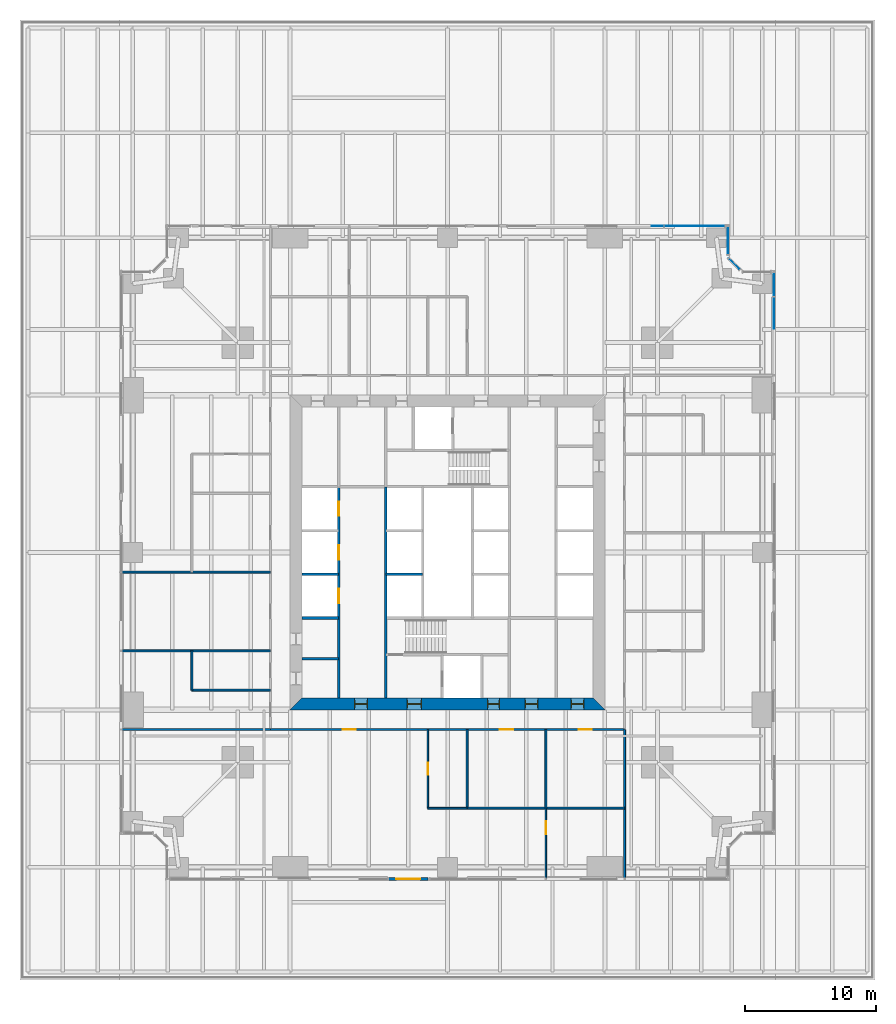
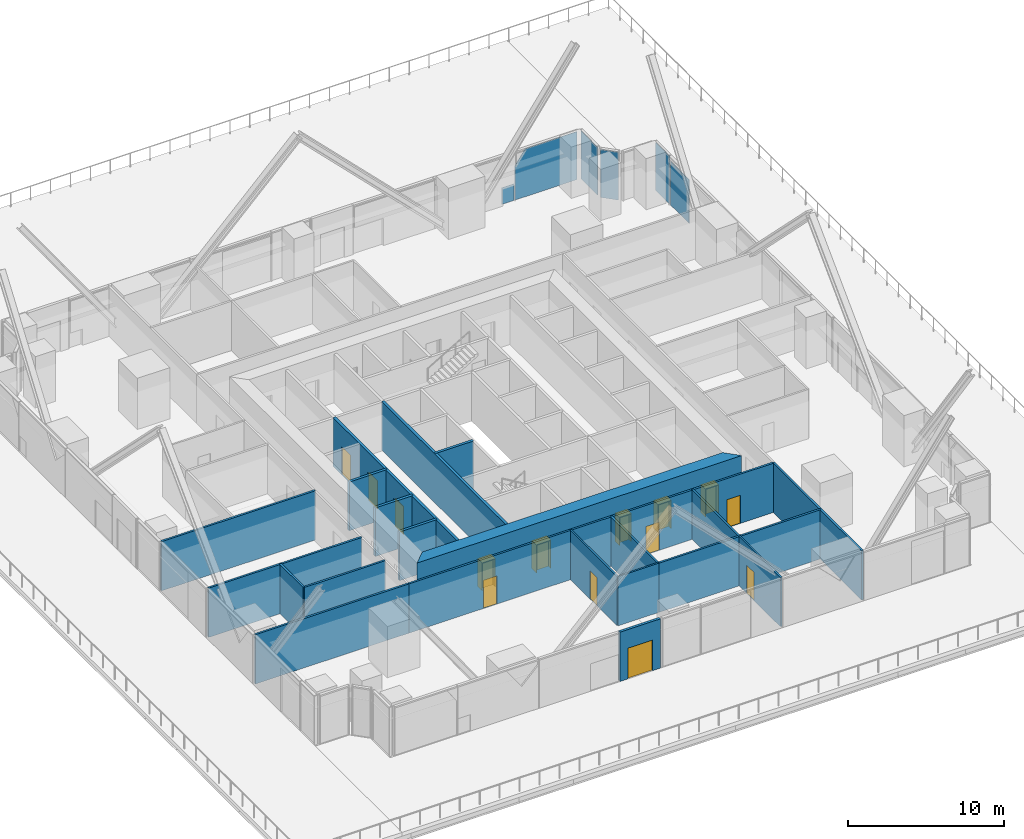
# One storey, part 15 of 21: 22 walls, 14 doors, 6 plates, 14 openings, 4 elements without a shape of their own.
"""IFC4 building model written with IfcOpenShell, lengths in metres."""

from ifc_helpers import new_model, si_unit, direction, frame, frame_2d, origin, origin_2d, place, context, subcontext, project, spatial, polyline, rectangle, outline, extrude, material, layer, layer_set, type_object, element, fill, aggregate, save


model = new_model("IFC4")

# Units and contexts
model_context = context("Model", 3, precision=1e-05, world=origin(), true_north=direction((0.0, 1.0)))
body_context = subcontext(model_context, "Body", "Model", "MODEL_VIEW")
ifc_project = project(units=[si_unit("LENGTHUNIT", "METRE"), si_unit("AREAUNIT", "SQUARE_METRE"), si_unit("VOLUMEUNIT", "CUBIC_METRE"), si_unit("PLANEANGLEUNIT", "RADIAN"), si_unit("MASSUNIT", "GRAM", prefix="KILO")], contexts=[model_context])

# Site, building, storey
site_placement = place(None, origin())
site = spatial("IfcSite", under=ifc_project, at=site_placement, CompositionType="ELEMENT")
building_placement = place(site_placement, origin())
building = spatial("IfcBuilding", under=site, at=building_placement, Name="Fenwick Lantern Interchange", CompositionType="ELEMENT")
storey_placement = place(building_placement, frame((0.0, 0.0, 31.0)))
storey = spatial("IfcBuildingStorey", under=building, at=storey_placement, Name="L06", CompositionType="ELEMENT", Elevation=31.0)

# Curtain wall, plates
ifc_material_1 = material(Name="Aluminium curtain wall frame", Category="aluminium")
curtain_wall_type = type_object("IfcCurtainWallType", Name="OFFICE CURTAIN WALL", PredefinedType="USERDEFINED", material=ifc_material_1)
curtain_wall_1_placement = place(storey_placement, origin())
curtain_wall_1 = element("IfcCurtainWall", 1, at=curtain_wall_1_placement, inside=storey, type_object=curtain_wall_type, Name="Office curtain wall 05B", ObjectType="OFFICE CURTAIN WALL", PredefinedType="USERDEFINED")
ifc_material_2 = material(Name="Vision glass, clear low-iron double glazed", Category="glass")
ifc_layer_1 = layer(ifc_material_2, 0.031982421875)
ifc_layer_set_1 = layer_set([ifc_layer_1], Name="OFFICE CURTAIN WALL PANEL 32")
plate_type = type_object("IfcPlateType", Name="OFFICE CURTAIN WALL PANEL 32", PredefinedType="CURTAIN_PANEL", material=ifc_layer_set_1)
plate_1_placement = place(storey_placement, frame((49.89990234375, 23.5, 0.0), z_axis=(0.0, 0.0, 1.0), x_axis=(0.0, 1.0, 0.0)))
plate_1 = element("IfcPlate", 2, at=plate_1_placement, type_object=plate_type, Name="L06/CW/05B/P03a", PredefinedType="CURTAIN_PANEL", context=body_context, shape_type="SweptSolid", body=[
    extrude(outline(polyline([(18.556640625, 0.0), (20.967529296875, 0.0), (20.967529296875, 3.40771484375), (18.556640625, 3.40771484375), (18.556640625, 0.0)])), frame((0.0, 0.01611328125, 0.0), z_axis=(0.0, -1.0, 0.0), x_axis=(1.0, 0.0, 0.0)), (0.0, 0.0, 1.0), 0.031982421875),
])
plate_2_placement = place(storey_placement, frame((49.89990234375, 45.433837890625, 0.0), z_axis=(0.0, 0.0, 1.0), x_axis=(0.0, 1.0, 0.0)))
plate_2 = element("IfcPlate", 3, at=plate_2_placement, type_object=plate_type, Name="L06/CW/05B/P04", PredefinedType="CURTAIN_PANEL", context=body_context, shape_type="SweptSolid", body=[
    extrude(rectangle(XDim=1.802490234375, YDim=0.031982421875, at=origin_2d()), origin(), (0.0, 0.0, 1.0), 3.75),
])
aggregate(curtain_wall_1, [plate_1, plate_2])

# Curtain wall, plate
curtain_wall_2_placement = place(storey_placement, origin())
curtain_wall_2 = element("IfcCurtainWall", 4, at=curtain_wall_2_placement, inside=storey, type_object=curtain_wall_type, Name="Office curtain wall 07", ObjectType="OFFICE CURTAIN WALL", PredefinedType="USERDEFINED")
plate_3_placement = place(storey_placement, frame((46.858642578125, 47.0, 0.0), z_axis=(0.0, 0.0, 1.0), x_axis=(-0.707106781187, 0.707106781187, 0.0)))
plate_3 = element("IfcPlate", 5, at=plate_3_placement, type_object=plate_type, Name="L06/CW/07/P00", PredefinedType="CURTAIN_PANEL", context=body_context, shape_type="SweptSolid", body=[
    extrude(rectangle(XDim=1.1669921875, YDim=0.031982421875, at=origin_2d()), origin(), (0.0, 0.0, 1.0), 3.75),
])
aggregate(curtain_wall_2, [plate_3])

curtain_wall_3_placement = place(storey_placement, origin())
curtain_wall_3 = element("IfcCurtainWall", 6, at=curtain_wall_3_placement, inside=storey, type_object=curtain_wall_type, Name="Office curtain wall 08", ObjectType="OFFICE CURTAIN WALL", PredefinedType="USERDEFINED")
plate_4_placement = place(storey_placement, frame((46.39990234375, 48.779296875, 0.0), z_axis=(0.0, 0.0, 1.0), x_axis=(0.0, 1.0, 0.0)))
plate_4 = element("IfcPlate", 7, at=plate_4_placement, type_object=plate_type, Name="L06/CW/08/P00", PredefinedType="CURTAIN_PANEL", context=body_context, shape_type="SweptSolid", body=[
    extrude(rectangle(XDim=2.111328125, YDim=0.031982421875, at=origin_2d()), origin(), (0.0, 0.0, 1.0), 3.75),
])
aggregate(curtain_wall_3, [plate_4])

# Curtain wall, plates
curtain_wall_4_placement = place(storey_placement, origin())
curtain_wall_4 = element("IfcCurtainWall", 8, at=curtain_wall_4_placement, inside=storey, type_object=curtain_wall_type, Name="Office curtain wall 09A", ObjectType="OFFICE CURTAIN WALL", PredefinedType="USERDEFINED")
plate_5_placement = place(storey_placement, frame((46.39990234375, 49.89990234375, 0.0), z_axis=(0.0, 0.0, 1.0), x_axis=(-1.0, 0.0, 0.0)))
plate_5 = element("IfcPlate", 9, at=plate_5_placement, type_object=plate_type, Name="L06/CW/09A/P00a", PredefinedType="CURTAIN_PANEL", context=body_context, shape_type="SweptSolid", body=[
    extrude(outline(polyline([(0.264892578125, 0.0), (4.867431640625, 0.0), (4.867431640625, 2.66650390625), (4.101318359375, 3.75), (0.264892578125, 3.75), (0.264892578125, 0.0)])), frame((0.0, 0.01611328125, 0.0), z_axis=(0.0, -1.0, 0.0), x_axis=(1.0, 0.0, 0.0)), (0.0, 0.0, 1.0), 0.031982421875),
])
plate_6_placement = place(storey_placement, frame((46.39990234375, 49.89990234375, 0.0), z_axis=(0.0, 0.0, 1.0), x_axis=(-1.0, 0.0, 0.0)))
plate_6 = element("IfcPlate", 10, at=plate_6_placement, type_object=plate_type, Name="L06/CW/09A/P01a", PredefinedType="CURTAIN_PANEL", context=body_context, shape_type="SweptSolid", body=[
    extrude(outline(polyline([(4.9326171875, 0.0), (5.842529296875, 0.0), (5.842529296875, 1.287841796875), (4.9326171875, 1.287841796875), (4.9326171875, 0.0)])), frame((0.0, 0.01611328125, 0.0), z_axis=(0.0, -1.0, 0.0), x_axis=(1.0, 0.0, 0.0)), (0.0, 0.0, 1.0), 0.031982421875),
])
aggregate(curtain_wall_4, [plate_5, plate_6])

# Wall, openings, doors
ifc_material_3 = material(Name="Concrete masonry ASTM C90 Grade N", Category="masonry")
ifc_layer_2 = layer(ifc_material_3, 0.199951171875)
ifc_layer_set_2 = layer_set([ifc_layer_2], Name="Concrete masonry ASTM C90 Grade N")
wall_type_1 = type_object("IfcWallType", Name="CORE PARTITION 200", PredefinedType="PARTITIONING", material=ifc_layer_set_2)
wall_1_placement = place(storey_placement, frame((16.699951171875, 13.89990234375, 0.0), z_axis=(0.0, 0.0, 1.0), x_axis=(0.0, 1.0, 0.0)))
wall_1 = element("IfcWall", 11, at=wall_1_placement, inside=storey, type_object=wall_type_1, Name="L06/W/CORES/a", PredefinedType="PARTITIONING", context=body_context, shape_type="SweptSolid", body=[
    extrude(rectangle(XDim=16.10009765625, YDim=0.199951171875, at=frame_2d((8.050048828125, 0.0))), origin(), (0.0, 0.0, 1.0), 3.800048828125),
])
opening_1_placement = place(wall_1_placement, frame((7.216552734375, 0.0, 0.0)))
opening_1 = element("IfcOpeningElement", 12, at=opening_1_placement, cuts=wall_1, Name="Opening LD-W1-1", PredefinedType="OPENING", context=body_context, shape_type="SweptSolid", body=[
    extrude(rectangle(XDim=1.10009765625, YDim=2.199951171875, at=frame_2d((0.550048828125, 1.10009765625))), frame((0.0, 0.10986328125, 0.0), z_axis=(0.0, -1.0, 0.0), x_axis=(1.0, 0.0, 0.0)), (0.0, 0.0, 1.0), 0.219970703125),
])
opening_2_placement = place(wall_1_placement, frame((10.550048828125, 0.0, 0.0)))
opening_2 = element("IfcOpeningElement", 13, at=opening_2_placement, cuts=wall_1, Name="Opening LD-W1-2", PredefinedType="OPENING", context=body_context, shape_type="SweptSolid", body=[
    extrude(rectangle(XDim=1.10009765625, YDim=2.199951171875, at=frame_2d((0.550048828125, 1.10009765625))), frame((0.0, 0.10986328125, 0.0), z_axis=(0.0, -1.0, 0.0), x_axis=(1.0, 0.0, 0.0)), (0.0, 0.0, 1.0), 0.219970703125),
])
opening_3_placement = place(wall_1_placement, frame((13.88330078125, 0.0, 0.0)))
opening_3 = element("IfcOpeningElement", 14, at=opening_3_placement, cuts=wall_1, Name="Opening LD-W1-3", PredefinedType="OPENING", context=body_context, shape_type="SweptSolid", body=[
    extrude(rectangle(XDim=1.10009765625, YDim=2.199951171875, at=frame_2d((0.550048828125, 1.10009765625))), frame((0.0, 0.10986328125, 0.0), z_axis=(0.0, -1.0, 0.0), x_axis=(1.0, 0.0, 0.0)), (0.0, 0.0, 1.0), 0.219970703125),
])
ifc_material_4 = material(Name="Steel door and frame", Category="steel")
door_type_1 = type_object("IfcDoorType", Name="LIFT LANDING DOOR 1100 X 2200", OperationType="DOUBLE_DOOR_SLIDING", PredefinedType="DOOR", material=ifc_material_4)
door_1_placement = place(opening_1_placement, origin())
door_1 = element("IfcDoor", 15, at=door_1_placement, inside=storey, type_object=door_type_1, Name="Lift landing door W1-1", OperationType="DOUBLE_DOOR_SLIDING", OverallHeight=2.199951171875, OverallWidth=1.10009765625, PredefinedType="DOOR", context=body_context, shape_type="SweptSolid", body=[
    extrude(rectangle(XDim=1.10009765625, YDim=2.199951171875, at=frame_2d((0.550048828125, 1.10009765625))), frame((0.0, 0.02490234375, 0.0), z_axis=(0.0, -1.0, 0.0), x_axis=(1.0, 0.0, 0.0)), (0.0, 0.0, 1.0), 0.050048828125),
])
fill(opening_1, door_1)
door_2_placement = place(opening_2_placement, origin())
door_2 = element("IfcDoor", 16, at=door_2_placement, inside=storey, type_object=door_type_1, Name="Lift landing door W1-2", OperationType="DOUBLE_DOOR_SLIDING", OverallHeight=2.199951171875, OverallWidth=1.10009765625, PredefinedType="DOOR", context=body_context, shape_type="SweptSolid", body=[
    extrude(rectangle(XDim=1.10009765625, YDim=2.199951171875, at=frame_2d((0.550048828125, 1.10009765625))), frame((0.0, 0.02490234375, 0.0), z_axis=(0.0, -1.0, 0.0), x_axis=(1.0, 0.0, 0.0)), (0.0, 0.0, 1.0), 0.050048828125),
])
fill(opening_2, door_2)
door_3_placement = place(opening_3_placement, origin())
door_3 = element("IfcDoor", 17, at=door_3_placement, inside=storey, type_object=door_type_1, Name="Lift landing door W1-3", OperationType="DOUBLE_DOOR_SLIDING", OverallHeight=2.199951171875, OverallWidth=1.10009765625, PredefinedType="DOOR", context=body_context, shape_type="SweptSolid", body=[
    extrude(rectangle(XDim=1.10009765625, YDim=2.199951171875, at=frame_2d((0.550048828125, 1.10009765625))), frame((0.0, 0.02490234375, 0.0), z_axis=(0.0, -1.0, 0.0), x_axis=(1.0, 0.0, 0.0)), (0.0, 0.0, 1.0), 0.050048828125),
])
fill(opening_3, door_3)

# Walls
for number, where, z_axis, x_axis, name in (
    (18, (13.89990234375, 16.89990234375, 0.0), (0.0, 0.0, 1.0), (1.0, 0.0, 0.0), "L06/W/CORES/c1"),
    (19, (13.89990234375, 20.0, 0.0), (0.0, 0.0, 1.0), (1.0, 0.0, 0.0), "L06/W/CORES/c2"),
    (20, (13.89990234375, 23.333251953125, 0.0), (0.0, 0.0, 1.0), (1.0, 0.0, 0.0), "L06/W/CORES/d1"),
    (21, (20.300048828125, 23.333251953125, 0.0), (0.0, 0.0, 1.0), (1.0, 0.0, 0.0), "L06/W/CORES/e1"),
):
    element("IfcWall", number, at=place(storey_placement, frame(where, z_axis=z_axis, x_axis=x_axis)), inside=storey, type_object=wall_type_1, Name=name, PredefinedType="PARTITIONING", context=body_context, shape_type="SweptSolid", body=[
        extrude(rectangle(XDim=2.800048828125, YDim=0.199951171875, at=frame_2d((1.39990234375, 0.0))), origin(), (0.0, 0.0, 1.0), 3.800048828125),
    ])

# Wall, openings, doors
ifc_material_5 = material(Name="Concrete f'c 70 MPa", Category="concrete")
ifc_layer_3 = layer(ifc_material_5, 0.89990234375)
ifc_layer_set_3 = layer_set([ifc_layer_3], Name="CORE WALL 900")
wall_type_2 = type_object("IfcWallType", Name="CORE WALL 900", PredefinedType="SHEAR", material=ifc_layer_set_3)
wall_2_placement = place(storey_placement, frame((13.0, 13.449951171875, 0.0), z_axis=(0.0, 0.0, 1.0), x_axis=(1.0, 0.0, 0.0)))
wall_2 = element("IfcWall", 22, at=wall_2_placement, inside=storey, type_object=wall_type_2, Name="L06/CORE/S", PredefinedType="SHEAR", context=body_context, shape_type="SweptSolid", body=[
    extrude(outline(polyline([(0.0, -0.449951171875), (24.0, -0.449951171875), (23.10009765625, 0.449951171875), (0.89990234375, 0.449951171875), (0.0, -0.449951171875)])), origin(), (0.0, 0.0, 1.0), 4.0),
])
opening_4_placement = place(wall_2_placement, frame((4.89990234375, 0.0, 0.0)))
opening_4 = element("IfcOpeningElement", 23, at=opening_4_placement, cuts=wall_2, Name="Opening L06-D006", PredefinedType="OPENING", context=body_context, shape_type="SweptSolid", body=[
    extrude(rectangle(XDim=1.0, YDim=2.199951171875, at=frame_2d((0.5, 1.10009765625))), frame((0.0, 0.4599609375, 0.0), z_axis=(0.0, -1.0, 0.0), x_axis=(1.0, 0.0, 0.0)), (0.0, 0.0, 1.0), 0.919921875),
])
opening_5_placement = place(wall_2_placement, frame((8.89990234375, 0.0, 0.0)))
opening_5 = element("IfcOpeningElement", 24, at=opening_5_placement, cuts=wall_2, Name="Opening L06-D009", PredefinedType="OPENING", context=body_context, shape_type="SweptSolid", body=[
    extrude(rectangle(XDim=1.10009765625, YDim=2.199951171875, at=frame_2d((0.550048828125, 1.10009765625))), frame((0.0, 0.4599609375, 0.0), z_axis=(0.0, -1.0, 0.0), x_axis=(1.0, 0.0, 0.0)), (0.0, 0.0, 1.0), 0.919921875),
])
opening_6_placement = place(wall_2_placement, frame((15.050048828125, 0.0, 0.0)))
opening_6 = element("IfcOpeningElement", 25, at=opening_6_placement, cuts=wall_2, Name="Opening L06-D011", PredefinedType="OPENING", context=body_context, shape_type="SweptSolid", body=[
    extrude(rectangle(XDim=0.89990234375, YDim=2.199951171875, at=frame_2d((0.449951171875, 1.10009765625))), frame((0.0, 0.4599609375, 0.0), z_axis=(0.0, -1.0, 0.0), x_axis=(1.0, 0.0, 0.0)), (0.0, 0.0, 1.0), 0.919921875),
])
opening_7_placement = place(wall_2_placement, frame((17.89990234375, 0.0, 0.0)))
opening_7 = element("IfcOpeningElement", 26, at=opening_7_placement, cuts=wall_2, Name="Opening L06-D012", PredefinedType="OPENING", context=body_context, shape_type="SweptSolid", body=[
    extrude(rectangle(XDim=1.0, YDim=2.199951171875, at=frame_2d((0.5, 1.10009765625))), frame((0.0, 0.4599609375, 0.0), z_axis=(0.0, -1.0, 0.0), x_axis=(1.0, 0.0, 0.0)), (0.0, 0.0, 1.0), 0.919921875),
])
opening_8_placement = place(wall_2_placement, frame((21.39990234375, 0.0, 0.0)))
opening_8 = element("IfcOpeningElement", 27, at=opening_8_placement, cuts=wall_2, Name="Opening L06-D013", PredefinedType="OPENING", context=body_context, shape_type="SweptSolid", body=[
    extrude(rectangle(XDim=1.0, YDim=2.199951171875, at=frame_2d((0.5, 1.10009765625))), frame((0.0, 0.4599609375, 0.0), z_axis=(0.0, -1.0, 0.0), x_axis=(1.0, 0.0, 0.0)), (0.0, 0.0, 1.0), 0.919921875),
])
door_type_2 = type_object("IfcDoorType", Name="CORE LOBBY DOOR 1000 X 2200", OperationType="SINGLE_SWING_LEFT", PredefinedType="DOOR", material=ifc_material_4)
door_4_placement = place(opening_4_placement, origin())
door_4 = element("IfcDoor", 28, at=door_4_placement, inside=storey, type_object=door_type_2, Name="Core lobby door", OperationType="SINGLE_SWING_LEFT", OverallHeight=2.199951171875, OverallWidth=1.0, PredefinedType="DOOR", context=body_context, shape_type="SweptSolid", body=[
    extrude(rectangle(XDim=1.0, YDim=2.199951171875, at=frame_2d((0.5, 1.10009765625))), frame((0.0, 0.02490234375, 0.0), z_axis=(0.0, -1.0, 0.0), x_axis=(1.0, 0.0, 0.0)), (0.0, 0.0, 1.0), 0.050048828125),
    extrude(outline(polyline([(0.0, 0.0), (0.0400390625, 0.0), (0.0400390625, 2.159912109375), (0.9599609375, 2.159912109375), (0.9599609375, 0.0), (1.0, 0.0), (1.0, 2.199951171875), (0.0, 2.199951171875), (0.0, 0.0)])), frame((0.0, 0.300048828125, 0.0), z_axis=(0.0, -1.0, 0.0), x_axis=(1.0, 0.0, 0.0)), (0.0, 0.0, 1.0), 0.60009765625),
])
fill(opening_4, door_4)
door_type_3 = type_object("IfcDoorType", Name="FIRE LOBBY DOOR 1100 X 2200", OperationType="SINGLE_SWING_LEFT", PredefinedType="DOOR", material=ifc_material_4)
door_5_placement = place(opening_5_placement, origin())
door_5 = element("IfcDoor", 29, at=door_5_placement, inside=storey, type_object=door_type_3, Name="Fire lobby door", OperationType="SINGLE_SWING_LEFT", OverallHeight=2.199951171875, OverallWidth=1.10009765625, PredefinedType="DOOR", context=body_context, shape_type="SweptSolid", body=[
    extrude(rectangle(XDim=1.10009765625, YDim=2.199951171875, at=frame_2d((0.550048828125, 1.10009765625))), frame((0.0, 0.02490234375, 0.0), z_axis=(0.0, -1.0, 0.0), x_axis=(1.0, 0.0, 0.0)), (0.0, 0.0, 1.0), 0.050048828125),
    extrude(outline(polyline([(0.0, 0.0), (0.0400390625, 0.0), (0.0400390625, 2.159912109375), (1.06005859375, 2.159912109375), (1.06005859375, 0.0), (1.10009765625, 0.0), (1.10009765625, 2.199951171875), (0.0, 2.199951171875), (0.0, 0.0)])), frame((0.0, 0.300048828125, 0.0), z_axis=(0.0, -1.0, 0.0), x_axis=(1.0, 0.0, 0.0)), (0.0, 0.0, 1.0), 0.60009765625),
])
fill(opening_5, door_5)
door_type_4 = type_object("IfcDoorType", Name="SERVICE DOOR 900 X 2200", OperationType="SINGLE_SWING_LEFT", PredefinedType="DOOR", material=ifc_material_4)
door_6_placement = place(opening_6_placement, origin())
door_6 = element("IfcDoor", 30, at=door_6_placement, inside=storey, type_object=door_type_4, Name="Service door", OperationType="SINGLE_SWING_LEFT", OverallHeight=2.199951171875, OverallWidth=0.89990234375, PredefinedType="DOOR", context=body_context, shape_type="SweptSolid", body=[
    extrude(rectangle(XDim=0.89990234375, YDim=2.199951171875, at=frame_2d((0.449951171875, 1.10009765625))), frame((0.0, 0.02490234375, 0.0), z_axis=(0.0, -1.0, 0.0), x_axis=(1.0, 0.0, 0.0)), (0.0, 0.0, 1.0), 0.050048828125),
    extrude(outline(polyline([(0.0, 0.0), (0.0400390625, 0.0), (0.0400390625, 2.159912109375), (0.85986328125, 2.159912109375), (0.85986328125, 0.0), (0.89990234375, 0.0), (0.89990234375, 2.199951171875), (0.0, 2.199951171875), (0.0, 0.0)])), frame((0.0, 0.300048828125, 0.0), z_axis=(0.0, -1.0, 0.0), x_axis=(1.0, 0.0, 0.0)), (0.0, 0.0, 1.0), 0.60009765625),
])
fill(opening_6, door_6)
ifc_material_6 = material(Name="Hardwood door and steel frame", Category="steel")
door_type_5 = type_object("IfcDoorType", Name="WC DOOR 1000 X 2200", OperationType="SINGLE_SWING_LEFT", PredefinedType="DOOR", material=ifc_material_6)
door_7_placement = place(opening_7_placement, origin())
door_7 = element("IfcDoor", 31, at=door_7_placement, inside=storey, type_object=door_type_5, Name="Wc door", OperationType="SINGLE_SWING_LEFT", OverallHeight=2.199951171875, OverallWidth=1.0, PredefinedType="DOOR", context=body_context, shape_type="SweptSolid", body=[
    extrude(rectangle(XDim=1.0, YDim=2.199951171875, at=frame_2d((0.5, 1.10009765625))), frame((0.0, 0.02490234375, 0.0), z_axis=(0.0, -1.0, 0.0), x_axis=(1.0, 0.0, 0.0)), (0.0, 0.0, 1.0), 0.050048828125),
    extrude(outline(polyline([(0.0, 0.0), (0.0400390625, 0.0), (0.0400390625, 2.159912109375), (0.9599609375, 2.159912109375), (0.9599609375, 0.0), (1.0, 0.0), (1.0, 2.199951171875), (0.0, 2.199951171875), (0.0, 0.0)])), frame((0.0, 0.300048828125, 0.0), z_axis=(0.0, -1.0, 0.0), x_axis=(1.0, 0.0, 0.0)), (0.0, 0.0, 1.0), 0.60009765625),
])
fill(opening_7, door_7)
door_8_placement = place(opening_8_placement, origin())
door_8 = element("IfcDoor", 32, at=door_8_placement, inside=storey, type_object=door_type_5, Name="Wc door", OperationType="SINGLE_SWING_RIGHT", OverallHeight=2.199951171875, OverallWidth=1.0, PredefinedType="DOOR", context=body_context, shape_type="SweptSolid", body=[
    extrude(rectangle(XDim=1.0, YDim=2.199951171875, at=frame_2d((0.5, 1.10009765625))), frame((0.0, 0.02490234375, 0.0), z_axis=(0.0, -1.0, 0.0), x_axis=(1.0, 0.0, 0.0)), (0.0, 0.0, 1.0), 0.050048828125),
    extrude(outline(polyline([(0.0, 0.0), (0.0400390625, 0.0), (0.0400390625, 2.159912109375), (0.9599609375, 2.159912109375), (0.9599609375, 0.0), (1.0, 0.0), (1.0, 2.199951171875), (0.0, 2.199951171875), (0.0, 0.0)])), frame((0.0, 0.300048828125, 0.0), z_axis=(0.0, -1.0, 0.0), x_axis=(1.0, 0.0, 0.0)), (0.0, 0.0, 1.0), 0.60009765625),
])
fill(opening_8, door_8)

ifc_material_7 = material(Name="Gypsum board on steel studs, 1 hour", Category="steel")
ifc_layer_4 = layer(ifc_material_7, 0.14990234375)
ifc_layer_set_4 = layer_set([ifc_layer_4], Name="CORRIDOR WALL 150")
wall_type_3 = type_object("IfcWallType", Name="CORRIDOR WALL 150", PredefinedType="PARTITIONING", material=ifc_layer_set_4)
wall_3_placement = place(storey_placement, frame((11.5, 11.5, 0.0), z_axis=(0.0, 0.0, 1.0), x_axis=(1.0, 0.0, 0.0)))
wall_3 = element("IfcWall", 33, at=wall_3_placement, inside=storey, type_object=wall_type_3, Name="L06/W/OFF/S/CW", PredefinedType="PARTITIONING", context=body_context, shape_type="SweptSolid", body=[
    extrude(rectangle(XDim=27.0, YDim=0.14990234375, at=frame_2d((13.5, 0.0))), origin(), (0.0, 0.0, 1.0), 3.85009765625),
])
opening_9_placement = place(wall_3_placement, frame((5.5, 0.0, 0.0)))
opening_9 = element("IfcOpeningElement", 34, at=opening_9_placement, cuts=wall_3, Name="Opening L06-D022", PredefinedType="OPENING", context=body_context, shape_type="SweptSolid", body=[
    extrude(rectangle(XDim=1.0, YDim=2.199951171875, at=frame_2d((0.5, 1.10009765625))), frame((0.0, 0.0849609375, 0.0), z_axis=(0.0, -1.0, 0.0), x_axis=(1.0, 0.0, 0.0)), (0.0, 0.0, 1.0), 0.169921875),
])
opening_10_placement = place(wall_3_placement, frame((17.5, 0.0, 0.0)))
opening_10 = element("IfcOpeningElement", 35, at=opening_10_placement, cuts=wall_3, Name="Opening L06-D025", PredefinedType="OPENING", context=body_context, shape_type="SweptSolid", body=[
    extrude(rectangle(XDim=1.0, YDim=2.199951171875, at=frame_2d((0.5, 1.10009765625))), frame((0.0, 0.0849609375, 0.0), z_axis=(0.0, -1.0, 0.0), x_axis=(1.0, 0.0, 0.0)), (0.0, 0.0, 1.0), 0.169921875),
])
opening_11_placement = place(wall_3_placement, frame((23.5, 0.0, 0.0)))
opening_11 = element("IfcOpeningElement", 36, at=opening_11_placement, cuts=wall_3, Name="Opening L06-D026", PredefinedType="OPENING", context=body_context, shape_type="SweptSolid", body=[
    extrude(rectangle(XDim=1.0, YDim=2.199951171875, at=frame_2d((0.5, 1.10009765625))), frame((0.0, 0.0849609375, 0.0), z_axis=(0.0, -1.0, 0.0), x_axis=(1.0, 0.0, 0.0)), (0.0, 0.0, 1.0), 0.169921875),
])
door_type_6 = type_object("IfcDoorType", Name="SUITE ENTRANCE DOOR 1000 X 2200", OperationType="SINGLE_SWING_LEFT", PredefinedType="DOOR", material=ifc_material_4)
door_9_placement = place(opening_9_placement, frame((1.0, 0.0, 0.0), z_axis=(0.0, 0.0, 1.0), x_axis=(-1.0, 0.0, 0.0)))
door_9 = element("IfcDoor", 37, at=door_9_placement, inside=storey, type_object=door_type_6, Name="Suite entrance door", OperationType="SINGLE_SWING_LEFT", OverallHeight=2.199951171875, OverallWidth=1.0, PredefinedType="DOOR", context=body_context, shape_type="SweptSolid", body=[
    extrude(rectangle(XDim=1.0, YDim=2.199951171875, at=frame_2d((0.5, 1.10009765625))), frame((0.0, 0.02490234375, 0.0), z_axis=(0.0, -1.0, 0.0), x_axis=(1.0, 0.0, 0.0)), (0.0, 0.0, 1.0), 0.050048828125),
])
fill(opening_9, door_9)
door_10_placement = place(opening_10_placement, frame((1.0, 0.0, 0.0), z_axis=(0.0, 0.0, 1.0), x_axis=(-1.0, 0.0, 0.0)))
door_10 = element("IfcDoor", 38, at=door_10_placement, inside=storey, type_object=door_type_6, Name="Suite entrance door", OperationType="SINGLE_SWING_RIGHT", OverallHeight=2.199951171875, OverallWidth=1.0, PredefinedType="DOOR", context=body_context, shape_type="SweptSolid", body=[
    extrude(rectangle(XDim=1.0, YDim=2.199951171875, at=frame_2d((0.5, 1.10009765625))), frame((0.0, 0.02490234375, 0.0), z_axis=(0.0, -1.0, 0.0), x_axis=(1.0, 0.0, 0.0)), (0.0, 0.0, 1.0), 0.050048828125),
])
fill(opening_10, door_10)
door_11_placement = place(opening_11_placement, frame((1.0, 0.0, 0.0), z_axis=(0.0, 0.0, 1.0), x_axis=(-1.0, 0.0, 0.0)))
door_11 = element("IfcDoor", 39, at=door_11_placement, inside=storey, type_object=door_type_6, Name="Suite entrance door", OperationType="SINGLE_SWING_RIGHT", OverallHeight=2.199951171875, OverallWidth=1.0, PredefinedType="DOOR", context=body_context, shape_type="SweptSolid", body=[
    extrude(rectangle(XDim=1.0, YDim=2.199951171875, at=frame_2d((0.5, 1.10009765625))), frame((0.0, 0.02490234375, 0.0), z_axis=(0.0, -1.0, 0.0), x_axis=(1.0, 0.0, 0.0)), (0.0, 0.0, 1.0), 0.050048828125),
])
fill(opening_11, door_11)

# Wall, opening, door
ifc_material_8 = material(Name="Gypsum board on steel studs, acoustic", Category="steel")
ifc_layer_5 = layer(ifc_material_8, 0.125)
ifc_layer_set_5 = layer_set([ifc_layer_5], Name="OFFICE PARTITION 125")
wall_type_4 = type_object("IfcWallType", Name="OFFICE PARTITION 125", PredefinedType="PARTITIONING", material=ifc_layer_set_5)
wall_4_placement = place(storey_placement, frame((23.5, 5.5, 0.0), z_axis=(0.0, 0.0, 1.0), x_axis=(0.0, 1.0, 0.0)))
wall_4 = element("IfcWall", 40, at=wall_4_placement, inside=storey, type_object=wall_type_4, Name="L06/W/OFF/S/X235-1", PredefinedType="PARTITIONING", context=body_context, shape_type="SweptSolid", body=[
    extrude(rectangle(XDim=6.0, YDim=0.125, at=frame_2d((3.0, 0.0))), origin(), (0.0, 0.0, 1.0), 3.85009765625),
])
opening_12_placement = place(wall_4_placement, frame((2.550048828125, 0.0, 0.0)))
opening_12 = element("IfcOpeningElement", 41, at=opening_12_placement, cuts=wall_4, Name="Opening L06-D023", PredefinedType="OPENING", context=body_context, shape_type="SweptSolid", body=[
    extrude(rectangle(XDim=0.89990234375, YDim=2.199951171875, at=frame_2d((0.449951171875, 1.10009765625))), frame((0.0, 0.072509765625, 0.0), z_axis=(0.0, -1.0, 0.0), x_axis=(1.0, 0.0, 0.0)), (0.0, 0.0, 1.0), 0.14501953125),
])
door_type_7 = type_object("IfcDoorType", Name="OFFICE DOOR 900 X 2200", OperationType="SINGLE_SWING_LEFT", PredefinedType="DOOR", material=ifc_material_6)
door_12_placement = place(opening_12_placement, frame((0.89990234375, 0.0, 0.0), z_axis=(0.0, 0.0, 1.0), x_axis=(-1.0, 0.0, 0.0)))
door_12 = element("IfcDoor", 42, at=door_12_placement, inside=storey, type_object=door_type_7, Name="Office door", OperationType="SINGLE_SWING_RIGHT", OverallHeight=2.199951171875, OverallWidth=0.89990234375, PredefinedType="DOOR", context=body_context, shape_type="SweptSolid", body=[
    extrude(rectangle(XDim=0.89990234375, YDim=2.199951171875, at=frame_2d((0.449951171875, 1.10009765625))), frame((0.0, 0.02490234375, 0.0), z_axis=(0.0, -1.0, 0.0), x_axis=(1.0, 0.0, 0.0)), (0.0, 0.0, 1.0), 0.050048828125),
])
fill(opening_12, door_12)

wall_5_placement = place(storey_placement, frame((32.5, 0.14990234375, 0.0), z_axis=(0.0, 0.0, 1.0), x_axis=(0.0, 1.0, 0.0)))
wall_5 = element("IfcWall", 43, at=wall_5_placement, inside=storey, type_object=wall_type_4, Name="L06/W/OFF/S/X325-1", PredefinedType="PARTITIONING", context=body_context, shape_type="SweptSolid", body=[
    extrude(rectangle(XDim=5.35009765625, YDim=0.125, at=frame_2d((2.675048828125, 0.0))), origin(), (0.0, 0.0, 1.0), 3.85009765625),
])
opening_13_placement = place(wall_5_placement, frame((3.35009765625, 0.0, 0.0)))
opening_13 = element("IfcOpeningElement", 44, at=opening_13_placement, cuts=wall_5, Name="Opening L06-D024", PredefinedType="OPENING", context=body_context, shape_type="SweptSolid", body=[
    extrude(rectangle(XDim=1.0, YDim=2.199951171875, at=frame_2d((0.5, 1.10009765625))), frame((0.0, 0.072509765625, 0.0), z_axis=(0.0, -1.0, 0.0), x_axis=(1.0, 0.0, 0.0)), (0.0, 0.0, 1.0), 0.14501953125),
])
door_type_8 = type_object("IfcDoorType", Name="MEETING ROOM DOOR 1000 X 2200", OperationType="SINGLE_SWING_LEFT", PredefinedType="DOOR", material=ifc_material_6)
door_13_placement = place(opening_13_placement, frame((1.0, 0.0, 0.0), z_axis=(0.0, 0.0, 1.0), x_axis=(-1.0, 0.0, 0.0)))
door_13 = element("IfcDoor", 45, at=door_13_placement, inside=storey, type_object=door_type_8, Name="Meeting room door", OperationType="SINGLE_SWING_LEFT", OverallHeight=2.199951171875, OverallWidth=1.0, PredefinedType="DOOR", context=body_context, shape_type="SweptSolid", body=[
    extrude(rectangle(XDim=1.0, YDim=2.199951171875, at=frame_2d((0.5, 1.10009765625))), frame((0.0, 0.02490234375, 0.0), z_axis=(0.0, -1.0, 0.0), x_axis=(1.0, 0.0, 0.0)), (0.0, 0.0, 1.0), 0.050048828125),
])
fill(opening_13, door_13)

# Walls
wall_6_placement = place(storey_placement, frame((23.5, 5.5, 0.0), z_axis=(0.0, 0.0, 1.0), x_axis=(1.0, 0.0, 0.0)))
element("IfcWall", 46, at=wall_6_placement, inside=storey, type_object=wall_type_4, Name="L06/W/OFF/S/Y55-1", PredefinedType="PARTITIONING", context=body_context, shape_type="SweptSolid", body=[
    extrude(rectangle(XDim=3.0, YDim=0.125, at=frame_2d((1.5, 0.0))), origin(), (0.0, 0.0, 1.0), 3.85009765625),
])
ifc_material_9 = material(Name="Concrete f'c 45 MPa", Category="concrete")
ifc_layer_6 = layer(ifc_material_9, 0.199951171875)
ifc_layer_set_6 = layer_set([ifc_layer_6], Name="STAIR CORE WALL 200")
wall_type_5 = type_object("IfcWallType", Name="STAIR CORE WALL 200", PredefinedType="SOLIDWALL", material=ifc_layer_set_6)
wall_7_placement = place(storey_placement, frame((20.300048828125, 13.89990234375, 0.0), z_axis=(0.0, 0.0, 1.0), x_axis=(0.0, 1.0, 0.0)))
element("IfcWall", 47, at=wall_7_placement, inside=storey, type_object=wall_type_5, Name="L06/W/CORES/b", PredefinedType="SOLIDWALL", context=body_context, shape_type="SweptSolid", body=[
    extrude(rectangle(XDim=16.10009765625, YDim=0.199951171875, at=frame_2d((8.050048828125, 0.0))), origin(), (0.0, 0.0, 1.0), 3.800048828125),
])
ifc_material_10 = material(Name="Gypsum board on steel studs, 1 hour acoustic", Category="steel")
ifc_layer_7 = layer(ifc_material_10, 0.14990234375)
ifc_layer_set_7 = layer_set([ifc_layer_7], Name="TENANT WALL 150")
wall_type_6 = type_object("IfcWallType", Name="TENANT WALL 150", PredefinedType="PARTITIONING", material=ifc_layer_set_7)
wall_8_placement = place(storey_placement, frame((0.14990234375, 11.5, 0.0), z_axis=(0.0, 0.0, 1.0), x_axis=(1.0, 0.0, 0.0)))
element("IfcWall", 48, at=wall_8_placement, inside=storey, type_object=wall_type_6, Name="L06/W/OFF/S/BACK", PredefinedType="PARTITIONING", context=body_context, shape_type="SweptSolid", body=[
    extrude(rectangle(XDim=11.35009765625, YDim=0.14990234375, at=frame_2d((5.675048828125, 0.0))), origin(), (0.0, 0.0, 1.0), 3.85009765625),
])
for number, where, z_axis, x_axis, name in (
    (49, (26.5, 5.5, 0.0), (0.0, 0.0, 1.0), (0.0, 1.0, 0.0), "L06/W/OFF/S/X265-1"),
    (50, (32.5, 5.5, 0.0), (0.0, 0.0, 1.0), (0.0, 1.0, 0.0), "L06/W/OFF/S/X325-2"),
    (51, (26.5, 5.5, 0.0), (0.0, 0.0, 1.0), (1.0, 0.0, 0.0), "L06/W/OFF/S/Y55-2"),
    (52, (32.5, 5.5, 0.0), (0.0, 0.0, 1.0), (1.0, 0.0, 0.0), "L06/W/OFF/S/Y55-3"),
):
    element("IfcWall", number, at=place(storey_placement, frame(where, z_axis=z_axis, x_axis=x_axis)), inside=storey, type_object=wall_type_6, Name=name, PredefinedType="PARTITIONING", context=body_context, shape_type="SweptSolid", body=[
        extrude(rectangle(XDim=6.0, YDim=0.14990234375, at=frame_2d((3.0, 0.0))), origin(), (0.0, 0.0, 1.0), 3.85009765625),
    ])
for number, where, z_axis, x_axis, name in (
    (53, (38.5, 0.14990234375, 0.0), (0.0, 0.0, 1.0), (0.0, 1.0, 0.0), "L06/W/OFF/E/BACK"),
    (54, (0.14990234375, 23.5, 0.0), (0.0, 0.0, 1.0), (1.0, 0.0, 0.0), "L06/W/OFF/W/X265-1"),
    (55, (0.14990234375, 17.5, 0.0), (0.0, 0.0, 1.0), (1.0, 0.0, 0.0), "L06/W/OFF/W/X325-1"),
):
    element("IfcWall", number, at=place(storey_placement, frame(where, z_axis=z_axis, x_axis=x_axis)), inside=storey, type_object=wall_type_6, Name=name, PredefinedType="PARTITIONING", context=body_context, shape_type="SweptSolid", body=[
        extrude(rectangle(XDim=11.35009765625, YDim=0.14990234375, at=frame_2d((5.675048828125, 0.0))), origin(), (0.0, 0.0, 1.0), 3.85009765625),
    ])
wall_9_placement = place(storey_placement, frame((5.5, 14.5, 0.0), z_axis=(0.0, 0.0, 1.0), x_axis=(1.0, 0.0, 0.0)))
element("IfcWall", 56, at=wall_9_placement, inside=storey, type_object=wall_type_6, Name="L06/W/OFF/W/X355-1", PredefinedType="PARTITIONING", context=body_context, shape_type="SweptSolid", body=[
    extrude(rectangle(XDim=6.0, YDim=0.14990234375, at=frame_2d((3.0, 0.0))), origin(), (0.0, 0.0, 1.0), 3.85009765625),
])
wall_10_placement = place(storey_placement, frame((5.5, 17.5, 0.0), z_axis=(0.0, 0.0, 1.0), x_axis=(0.0, -1.0, 0.0)))
element("IfcWall", 57, at=wall_10_placement, inside=storey, type_object=wall_type_6, Name="L06/W/OFF/W/Y55-3", PredefinedType="PARTITIONING", context=body_context, shape_type="SweptSolid", body=[
    extrude(rectangle(XDim=3.0, YDim=0.14990234375, at=frame_2d((1.5, 0.0))), origin(), (0.0, 0.0, 1.0), 3.85009765625),
])

# Wall, opening, door
ifc_material_11 = material(Name="Aluminium framed glazed screen", Category="aluminium")
ifc_layer_8 = layer(ifc_material_11, 0.199951171875)
ifc_layer_set_8 = layer_set([ifc_layer_8], Name="TERRACE DOOR SCREEN 200")
wall_type_7 = type_object("IfcWallType", Name="TERRACE DOOR SCREEN 200", PredefinedType="SOLIDWALL", material=ifc_layer_set_8)
wall_11_placement = place(storey_placement, frame((20.5, 0.10009765625, 0.0), z_axis=(0.0, 0.0, 1.0), x_axis=(1.0, 0.0, 0.0)))
wall_11 = element("IfcWall", 58, at=wall_11_placement, inside=storey, type_object=wall_type_7, Name="L06/CW/01W", PredefinedType="SOLIDWALL", context=body_context, shape_type="SweptSolid", body=[
    extrude(rectangle(XDim=3.0, YDim=0.199951171875, at=frame_2d((1.5, 0.0))), origin(), (0.0, 0.0, 1.0), 3.85009765625),
])
opening_14_placement = place(wall_11_placement, frame((0.60009765625, 0.0, 0.0)))
opening_14 = element("IfcOpeningElement", 59, at=opening_14_placement, cuts=wall_11, Name="Opening L06-D001", PredefinedType="OPENING", context=body_context, shape_type="SweptSolid", body=[
    extrude(rectangle(XDim=1.800048828125, YDim=2.39990234375, at=frame_2d((0.89990234375, 1.199951171875))), frame((0.0, 0.10986328125, 0.0), z_axis=(0.0, -1.0, 0.0), x_axis=(1.0, 0.0, 0.0)), (0.0, 0.0, 1.0), 0.219970703125),
])
ifc_material_12 = material(Name="Aluminium glazed door", Category="aluminium")
door_type_9 = type_object("IfcDoorType", Name="TERRACE DOOR PAIR 1800 X 2400", OperationType="DOUBLE_DOOR_SINGLE_SWING", PredefinedType="DOOR", material=ifc_material_12)
door_14_placement = place(opening_14_placement, origin())
door_14 = element("IfcDoor", 60, at=door_14_placement, inside=storey, type_object=door_type_9, Name="Terrace door pair", OperationType="DOUBLE_DOOR_SINGLE_SWING", OverallHeight=2.39990234375, OverallWidth=1.800048828125, PredefinedType="DOOR", context=body_context, shape_type="SweptSolid", body=[
    extrude(rectangle(XDim=1.800048828125, YDim=2.39990234375, at=frame_2d((0.89990234375, 1.199951171875))), frame((0.0, 0.02490234375, 0.0), z_axis=(0.0, -1.0, 0.0), x_axis=(1.0, 0.0, 0.0)), (0.0, 0.0, 1.0), 0.050048828125),
])
fill(opening_14, door_14)

save(model, "model.ifc")
